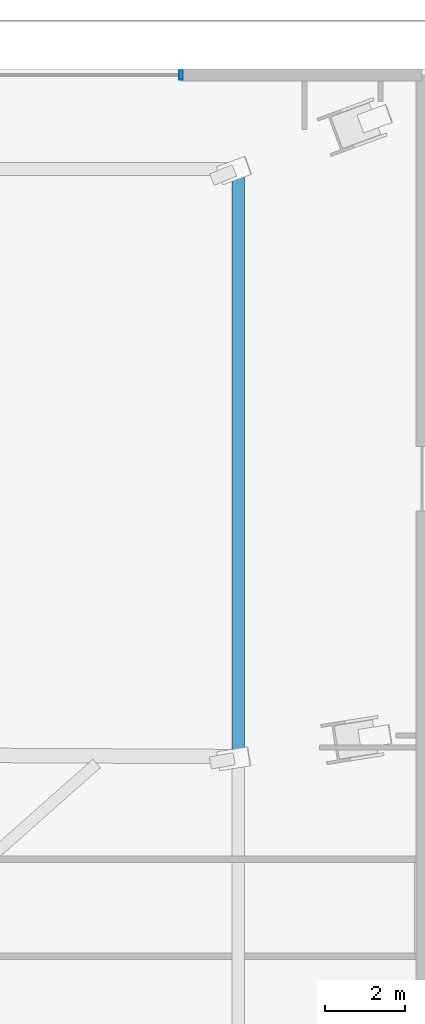
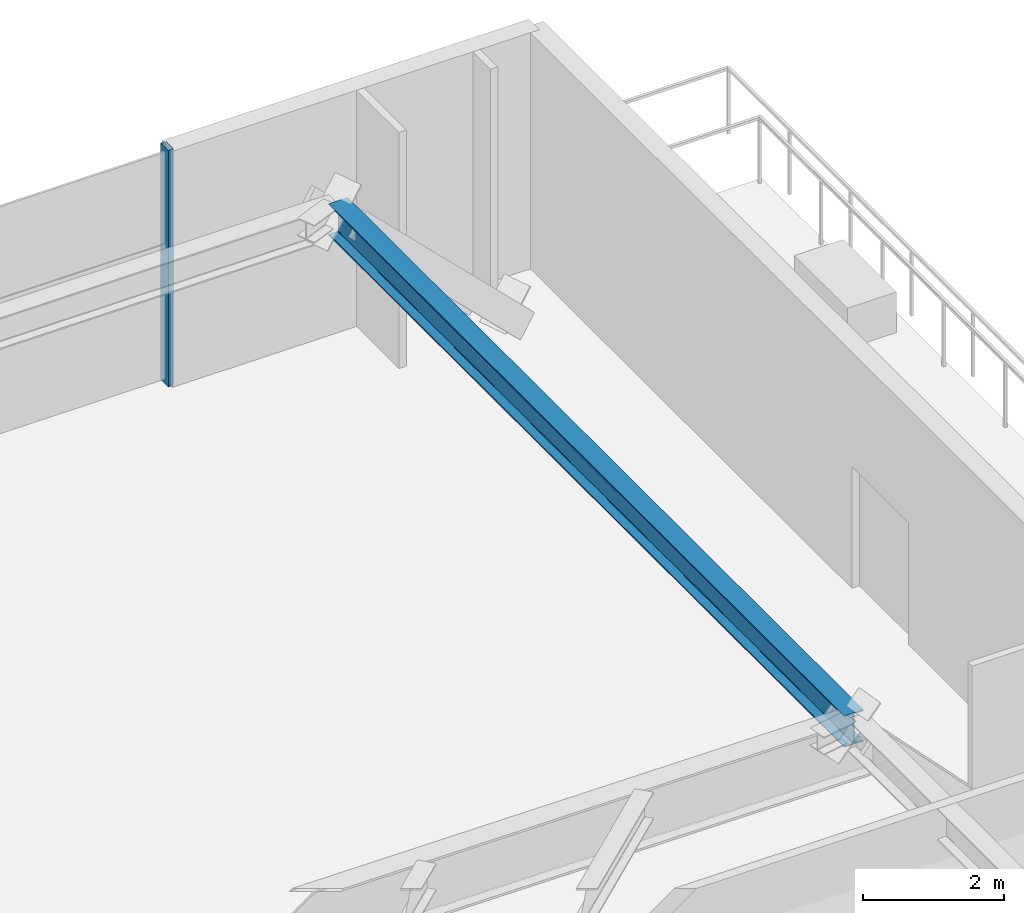
# One storey, part 21 of 33: 1 beam, 1 member, 1 element without a shape of its own.
"""IFC4 building model written with IfcOpenShell, lengths in metres."""

import ifcopenshell
import ifcopenshell.guid

model = None  # the IFC model being written
_history = None  # IfcOwnerHistory: only IFC2X3 demands one
_inside = {}  # id of a spatial element -> (the spatial element, [elements in it])
_under = {}  # id of a project, library or spatial element -> (it, [spatial elements below it])
_declared = {}  # id of a project -> (the project, [libraries it declares])
_typed = {}  # id of a type object -> (the type object, [elements of that type])
_made_of = {}  # id of a material, layer set ... -> (it, [elements and type objects made of it])


def new_model(schema):
    """Start an empty IFC model of exactly this schema.

    Asked for "IFC4X3", IfcOpenShell would pick the latest addendum, in which some entities
    have other attributes; the version numbers below select the first issue.
    IFC2X3 requires an IfcOwnerHistory on every rooted entity: one is made here for all.
    """
    global model, _history
    if schema == "IFC4X3":
        model = ifcopenshell.file(schema_version=(4, 3, 0, 0))
    else:
        model = ifcopenshell.file(schema=schema)
    _inside.clear()
    _under.clear()
    _declared.clear()
    _typed.clear()
    _made_of.clear()
    _history = None
    if model.schema == "IFC2X3":
        org = make("IfcOrganization", Name="unknown")
        user = make(
            "IfcPersonAndOrganization",
            ThePerson=make("IfcPerson", FamilyName="unknown"),
            TheOrganization=org,
        )
        app = make(
            "IfcApplication",
            ApplicationDeveloper=org,
            Version="unknown",
            ApplicationFullName="unknown",
            ApplicationIdentifier="unknown",
        )
        _history = make(
            "IfcOwnerHistory",
            OwningUser=user,
            OwningApplication=app,
            ChangeAction="ADDED",
            CreationDate=0,
        )
    return model


def make(cls, **values):
    """One entity of the class cls with the attributes given. An attribute that is None is left unset."""
    return model.create_entity(
        cls, **{name: value for name, value in values.items() if value is not None}
    )


def rooted(cls, **values):
    """An entity with a GlobalId (a new one), such as an element, a storey or a relation."""
    return make(cls, GlobalId=ifcopenshell.guid.new(), OwnerHistory=_history, **values)


def si_unit(unit_type, name, prefix=None):
    """IfcSIUnit, for example si_unit("LENGTHUNIT", "METRE", prefix="MILLI")."""
    return make("IfcSIUnit", UnitType=unit_type, Prefix=prefix, Name=name)


def assignment(units):
    """IfcUnitAssignment: the units of a project."""
    return None if units is None else make("IfcUnitAssignment", Units=units)


def point(xyz):
    """IfcCartesianPoint."""
    return None if xyz is None else make("IfcCartesianPoint", Coordinates=xyz)


def direction(xyz):
    """IfcDirection."""
    return None if xyz is None else make("IfcDirection", DirectionRatios=xyz)


def frame(location, z_axis=None, x_axis=None):
    """IfcAxis2Placement3D, a coordinate frame: its origin and axes. An axis left out is left unset."""
    return make(
        "IfcAxis2Placement3D",
        Location=point(location),
        Axis=direction(z_axis),
        RefDirection=direction(x_axis),
    )


def frame_2d(location, x_axis=None):
    """IfcAxis2Placement2D, a coordinate frame in the plane: its origin and x axis."""
    return make(
        "IfcAxis2Placement2D", Location=point(location), RefDirection=direction(x_axis)
    )


def origin():
    """The frame at (0, 0, 0) with its axes left unset."""
    return frame((0.0, 0.0, 0.0))


def origin_2d():
    """The frame at (0, 0) in the plane with its x axis left unset."""
    return frame_2d((0.0, 0.0))


def place(relative_to, where):
    """IfcLocalPlacement: puts the frame where relative to a parent placement (None: the world)."""
    return make(
        "IfcLocalPlacement", PlacementRelTo=relative_to, RelativePlacement=where
    )


def context(
    kind, dimensions, precision=None, world=None, true_north=None, identifier=None
):
    """IfcGeometricRepresentationContext, for example the 3D "Model" context."""
    return make(
        "IfcGeometricRepresentationContext",
        ContextIdentifier=identifier,
        ContextType=kind,
        CoordinateSpaceDimension=dimensions,
        Precision=precision,
        WorldCoordinateSystem=world,
        TrueNorth=true_north,
    )


def subcontext(parent, identifier, kind, view, scale=None):
    """IfcGeometricRepresentationSubContext, for example "Body" below "Model"."""
    return make(
        "IfcGeometricRepresentationSubContext",
        ContextIdentifier=identifier,
        ContextType=kind,
        ParentContext=parent,
        TargetScale=scale,
        TargetView=view,
    )


def project(units=None, contexts=None):
    """IfcProject with its units and contexts."""
    return rooted(
        "IfcProject",
        Name="project",
        RepresentationContexts=contexts,
        UnitsInContext=assignment(units),
    )


def spatial(cls, under=None, at=None, **own):
    """A site, building, storey or space (cls), placed at a placement, below another one or the project."""
    s = rooted(cls, ObjectPlacement=at, **own)
    if under is not None:
        _under.setdefault(under.id(), (under, []))[1].append(s)
    return s


def profile(cls, at=None, kind="AREA", **sizes):
    """A parametric profile (cls). Its sizes go by their IFC names, for example OverallWidth=200.0."""
    return make(cls, ProfileType=kind, Position=at, **sizes)


def hollow_rectangle(**sizes):
    """IfcRectangleHollowProfileDef."""
    return profile("IfcRectangleHollowProfileDef", **sizes)


def i_section(**sizes):
    """IfcIShapeProfileDef."""
    return profile("IfcIShapeProfileDef", **sizes)


def extrude(swept, where, along, depth):
    """IfcExtrudedAreaSolid: the profile swept, set in the frame where, extruded along a direction by depth."""
    return make(
        "IfcExtrudedAreaSolid",
        SweptArea=swept,
        Position=where,
        ExtrudedDirection=direction(along),
        Depth=depth,
    )


def shape(context_of_items, identifier, shape_type, items):
    """IfcShapeRepresentation: the items that make up one representation, for example the "Body"."""
    return make(
        "IfcShapeRepresentation",
        ContextOfItems=context_of_items,
        RepresentationIdentifier=identifier,
        RepresentationType=shape_type,
        Items=items,
    )


def source(mapping_origin, context_of_items, identifier, shape_type, items):
    """IfcRepresentationMap: a shape defined once, which mapped items show again and again."""
    return make(
        "IfcRepresentationMap",
        MappingOrigin=mapping_origin,
        MappedRepresentation=shape(context_of_items, identifier, shape_type, items),
    )


def transform(
    local_origin,
    x_axis=None,
    y_axis=None,
    z_axis=None,
    scale=None,
    scale2=None,
    scale3=None,
    uniform=True,
):
    """IfcCartesianTransformationOperator3D, or its non-uniform kind. x_axis, y_axis, z_axis: its Axis1, 2, 3."""
    if uniform:
        return make(
            "IfcCartesianTransformationOperator3D",
            Axis1=direction(x_axis),
            Axis2=direction(y_axis),
            LocalOrigin=point(local_origin),
            Scale=scale,
            Axis3=direction(z_axis),
        )
    return make(
        "IfcCartesianTransformationOperator3DnonUniform",
        Axis1=direction(x_axis),
        Axis2=direction(y_axis),
        LocalOrigin=point(local_origin),
        Scale=scale,
        Axis3=direction(z_axis),
        Scale2=scale2,
        Scale3=scale3,
    )


def mapped(mapping_source, mapping_target):
    """IfcMappedItem: shows the shape of a source again, moved by a transform."""
    return make(
        "IfcMappedItem", MappingSource=mapping_source, MappingTarget=mapping_target
    )


def material(Name=None, Category=None):
    """IfcMaterial."""
    return make("IfcMaterial", Name=Name, Category=Category)


def material_profile(
    of_material, cross_section, Name=None, Category=None, Priority=None
):
    """IfcMaterialProfile: a cross section and its material."""
    return make(
        "IfcMaterialProfile",
        Name=Name,
        Material=of_material,
        Profile=cross_section,
        Priority=Priority,
        Category=Category,
    )


def profile_set(profiles, Name=None, composite=None):
    """IfcMaterialProfileSet."""
    return make(
        "IfcMaterialProfileSet",
        Name=Name,
        MaterialProfiles=profiles,
        CompositeProfile=composite,
    )


def made_of(thing, what):
    """Note that an element or type object is made of a material, layer set ...; save() writes the relation."""
    if what is not None:
        _made_of.setdefault(what.id(), (what, []))[1].append(thing)
    return thing


def type_object(cls, material=None, **own):
    """A type object (cls), such as IfcWallType, which elements share."""
    return made_of(rooted(cls, **own), material)


def type_shapes(of_type, sources):
    """Give a type object the sources (RepresentationMaps) that its elements show as mapped items."""
    of_type.RepresentationMaps = sources


def element(
    cls,
    number,
    at=None,
    inside=None,
    cuts=None,
    type_object=None,
    material=None,
    context=None,
    identifier="Body",
    shape_type=None,
    held_by="IfcProductDefinitionShape",
    body=None,
    shapes=None,
    **own,
):
    """One element of the class cls, such as IfcWall. Its Tag is "e" and its number.

    at: its placement. inside: the storey or other place that contains it. cuts: it is an
    opening in that element (IfcRelVoidsElement). A single representation is given by context,
    identifier, shape_type and body (its items); several are given by shapes. held_by: the class
    of the entity that holds the representations. save() writes the other relations.
    """
    e = rooted(cls, Tag="e%d" % number, ObjectPlacement=at, **own)
    if body is not None:
        shapes = [shape(context, identifier, shape_type, body)]
    if shapes is not None:
        e.Representation = make(held_by, Representations=shapes)
    if inside is not None:
        _inside.setdefault(inside.id(), (inside, []))[1].append(e)
    if cuts is not None:
        rooted(
            "IfcRelVoidsElement", RelatingBuildingElement=cuts, RelatedOpeningElement=e
        )
    if type_object is not None:
        _typed.setdefault(type_object.id(), (type_object, []))[1].append(e)
    return made_of(e, material)


def aggregate(whole, parts):
    """IfcRelAggregates: a whole, such as a stair, and the parts it consists of."""
    return rooted("IfcRelAggregates", RelatingObject=whole, RelatedObjects=parts)


def save(model, path):
    """Write the relations noted so far, then the file.

    IfcRelAggregates (storeys below a building ...), IfcRelContainedInSpatialStructure (elements
    in a storey), IfcRelDefinesByType, IfcRelAssociatesMaterial and IfcRelDeclares: one each for
    every whole, place, type object, material and project.
    """
    for whole, parts in _under.values():
        aggregate(whole, parts)
    for where, things in _inside.values():
        rooted(
            "IfcRelContainedInSpatialStructure",
            RelatedElements=things,
            RelatingStructure=where,
        )
    for kind, things in _typed.values():
        rooted("IfcRelDefinesByType", RelatedObjects=things, RelatingType=kind)
    for what, things in _made_of.values():
        rooted("IfcRelAssociatesMaterial", RelatedObjects=things, RelatingMaterial=what)
    for by, libraries in _declared.values():
        rooted("IfcRelDeclares", RelatingContext=by, RelatedDefinitions=libraries)
    model.write(path)


model = new_model("IFC4")

# Units and contexts
model_context = context("Model", 3, precision=1e-05, world=origin(), true_north=direction((0.0, 1.0)))
body_context = subcontext(model_context, "Body", "Model", "MODEL_VIEW")
ifc_project = project(units=[si_unit("LENGTHUNIT", "METRE"), si_unit("AREAUNIT", "SQUARE_METRE"), si_unit("VOLUMEUNIT", "CUBIC_METRE"), si_unit("PLANEANGLEUNIT", "RADIAN"), si_unit("MASSUNIT", "GRAM", prefix="KILO")], contexts=[model_context])

# Site, building, storey
site_placement = place(None, origin())
site = spatial("IfcSite", under=ifc_project, at=site_placement, CompositionType="ELEMENT")
building_placement = place(site_placement, origin())
building = spatial("IfcBuilding", under=site, at=building_placement, Name="Astriad Promenade Condominiums", CompositionType="ELEMENT")
storey_placement = place(building_placement, frame((0.0, 0.0, 9.5)))
storey = spatial("IfcBuildingStorey", under=building, at=storey_placement, Name="L02", CompositionType="ELEMENT", Elevation=9.5)

# Beam
ifc_material_1 = material(Name="Steel ASTM A992 Grade 50", Category="steel")
ifc_material_profile_1 = material_profile(ifc_material_1, i_section(OverallWidth=0.3134765625, OverallDepth=0.54638671875, WebThickness=0.013916015625, FlangeThickness=0.022216796875, FilletRadius=0.0166015625, at=origin_2d()), Name="W21X111")
ifc_profile_set_1 = profile_set([ifc_material_profile_1], Name="Steel ASTM A992 Grade 50")
beam_type = type_object("IfcBeamType", Name="STEEL SPANDREL BEAM W21X111", PredefinedType="SPANDREL", material=ifc_profile_set_1)
shared_shape_1 = source(origin(), body_context, "Body", "SweptSolid", [
    extrude(i_section(OverallWidth=0.3134765625, OverallDepth=0.54638671875, WebThickness=0.013916015625, FlangeThickness=0.022216796875, FilletRadius=0.0166015625, at=origin_2d()), origin(), (0.0, 0.0, 1.0), 14.593505859375),
])
type_shapes(beam_type, [shared_shape_1])
beam_placement = place(storey_placement, frame((70.674560546875, 17.2802734375, 3.806884765625), z_axis=(0.0, 1.0, 0.0), x_axis=(-1.0, 0.0, 0.0)))
element("IfcBeam", 1, at=beam_placement, inside=storey, type_object=beam_type, Name="Perimeter Spandrel Beam SP-E2-L02", PredefinedType="SPANDREL", context=body_context, shape_type="MappedRepresentation", body=[
    mapped(shared_shape_1, transform((0.0, 0.0, 0.0), scale=1.0)),
])

# Curtain wall, member
ifc_material_2 = material(Name="Anodised aluminium Black Dark Glass Unitised", Category="aluminium")
curtain_wall_type = type_object("IfcCurtainWallType", Name="CW-POD-DARK", PredefinedType="USERDEFINED", material=ifc_material_2)
curtain_wall_placement = place(storey_placement, origin())
curtain_wall = element("IfcCurtainWall", 2, at=curtain_wall_placement, inside=storey, type_object=curtain_wall_type, Name="CW-L02-N", ObjectType="UNITISED_CURTAIN_WALL", PredefinedType="USERDEFINED")
ifc_material_3 = material(Name="Anodised aluminium 6063-T6 Black", Category="aluminium")
ifc_material_profile_2 = material_profile(ifc_material_3, hollow_rectangle(XDim=0.0849609375, YDim=0.219970703125, WallThickness=0.0048828125, at=origin_2d()), Name="ALU-MUL-85X220")
ifc_profile_set_2 = profile_set([ifc_material_profile_2], Name="Anodised aluminium 6063-T6 Black")
member_type = type_object("IfcMemberType", Name="MUL-ALU-MUL-85X220", PredefinedType="MULLION", material=ifc_profile_set_2)
shared_shape_2 = source(origin(), body_context, "Body", "SweptSolid", [
    extrude(hollow_rectangle(XDim=0.0849609375, YDim=0.219970703125, WallThickness=0.0048828125, at=origin_2d()), origin(), (0.0, 0.0, 1.0), 4.080078125),
])
type_shapes(member_type, [shared_shape_2])
member_placement = place(storey_placement, frame((69.25, 34.25, 0.0), z_axis=(0.0, 0.0, 1.0), x_axis=(1.0, 0.0, 0.0)))
member = element("IfcMember", 3, at=member_placement, type_object=member_type, Name="CW-L02-N-MUL-11", PredefinedType="MULLION", context=body_context, shape_type="MappedRepresentation", body=[
    mapped(shared_shape_2, transform((0.0, 0.0, 0.0), scale=1.0)),
])
aggregate(curtain_wall, [member])

save(model, "model.ifc")
